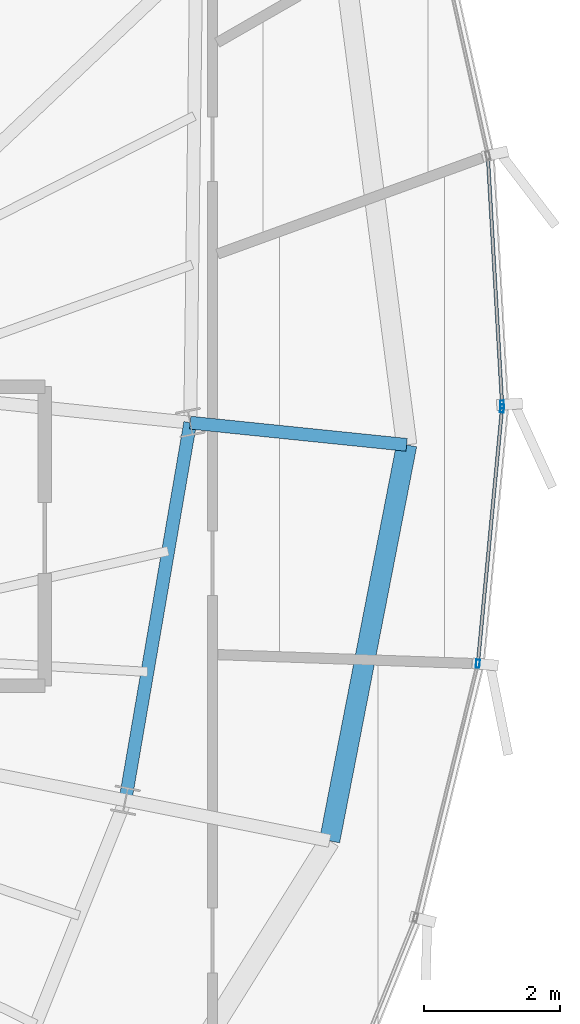
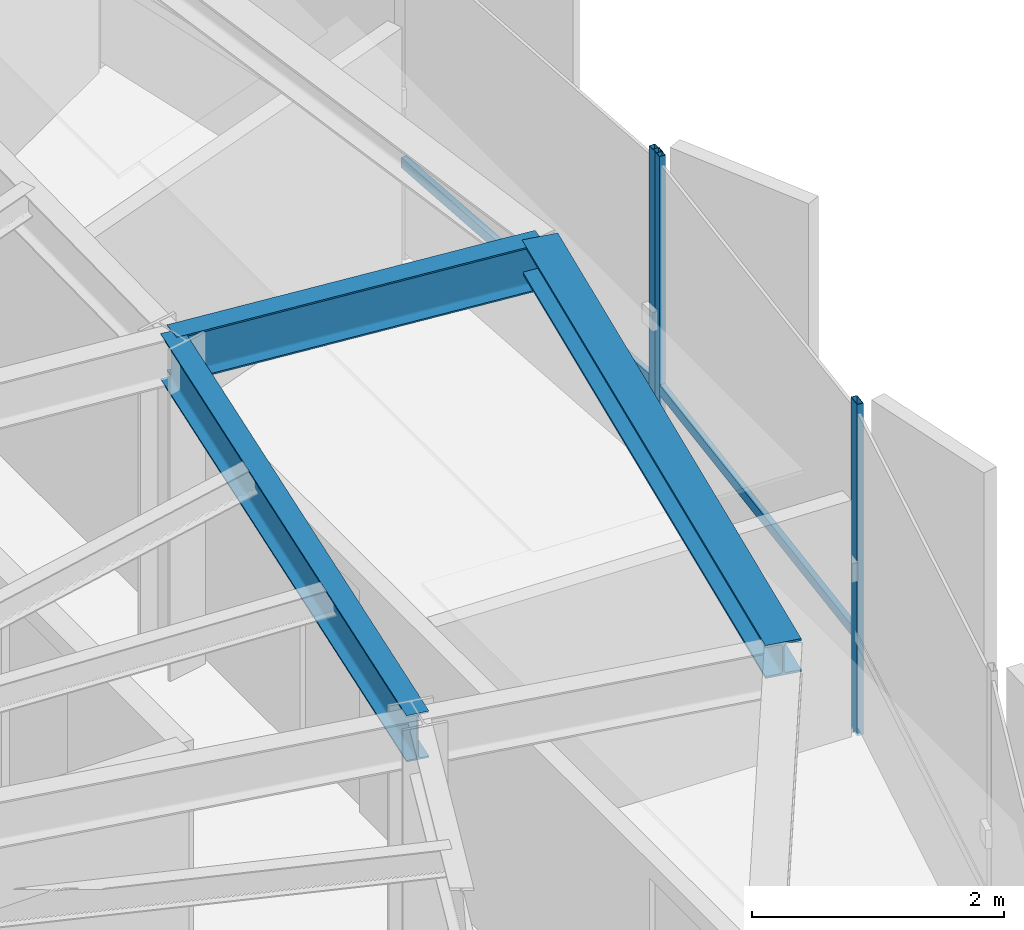
# One storey, part 15 of 31: 5 members, 3 beams, 2 elements without a shape of their own.
"""IFC4 building model written with IfcOpenShell, lengths in metres."""

from ifc_helpers import new_model, si_unit, direction, frame, origin, origin_2d, place, context, subcontext, project, spatial, hollow_rectangle, i_section, extrude, source, transform, mapped, material, layer, layer_set, material_profile, profile_set, type_object, element, aggregate, save


model = new_model("IFC4")

# Units and contexts
model_context = context("Model", 3, precision=1e-05, world=origin(), true_north=direction((0.0, 1.0)))
body_context = subcontext(model_context, "Body", "Model", "MODEL_VIEW")
ifc_project = project(units=[si_unit("LENGTHUNIT", "METRE"), si_unit("AREAUNIT", "SQUARE_METRE"), si_unit("VOLUMEUNIT", "CUBIC_METRE"), si_unit("PLANEANGLEUNIT", "RADIAN"), si_unit("MASSUNIT", "GRAM", prefix="KILO"), si_unit("THERMODYNAMICTEMPERATUREUNIT", "KELVIN")], contexts=[model_context])

# Site, building, storey
site_placement = place(None, origin())
site = spatial("IfcSite", under=ifc_project, at=site_placement, CompositionType="ELEMENT")
building_placement = place(site_placement, origin())
building = spatial("IfcBuilding", under=site, at=building_placement, Name="Kethvar Cultural Tower", CompositionType="ELEMENT")
storey_placement = place(building_placement, frame((0.0, 0.0, 290.5)))
storey = spatial("IfcBuildingStorey", under=building, at=storey_placement, Name="L77", CompositionType="ELEMENT", Elevation=290.5)

# Beams
ifc_material_1 = material(Name="Steel S355J2", Category="steel")
ifc_material_profile_1 = material_profile(ifc_material_1, i_section(OverallWidth=0.18994140625, OverallDepth=0.449951171875, WebThickness=0.009521484375, FlangeThickness=0.0146484375, FilletRadius=0.02099609375, at=origin_2d()), Name="Steel S355J2 — IPE450")
ifc_profile_set_1 = profile_set([ifc_material_profile_1], Name="Steel S355J2 — IPE450")
beam_type_1 = type_object("IfcBeamType", Name="BM-IPE450", PredefinedType="BEAM", material=ifc_profile_set_1)
shared_shape_1 = source(origin(), body_context, "Body", "SweptSolid", [
    extrude(i_section(OverallWidth=0.18994140625, OverallDepth=0.449951171875, WebThickness=0.009521484375, FlangeThickness=0.0146484375, FilletRadius=0.02099609375, at=origin_2d()), origin(), (0.0, 0.0, 1.0), 3.199951171875),
])
beam_1_placement = place(storey_placement, frame((61.237060546875, 30.671630859375, 2.98291015625), z_axis=(0.994784019447, -0.10200369921, 0.0), x_axis=(0.10200369921, 0.994784019447, 0.0)))
element("IfcBeam", 1, at=beam_1_placement, inside=storey, type_object=beam_type_1, Name="L77 Perimeter Cantilever Beam RC-01", PredefinedType="BEAM", context=body_context, shape_type="MappedRepresentation", body=[
    mapped(shared_shape_1, transform((0.0, 0.0, 0.0), scale=1.0)),
])
shared_shape_2 = source(origin(), body_context, "Body", "SweptSolid", [
    extrude(i_section(OverallWidth=0.18994140625, OverallDepth=0.449951171875, WebThickness=0.009521484375, FlangeThickness=0.0146484375, FilletRadius=0.02099609375, at=origin_2d()), origin(), (0.0, 0.0, 1.0), 5.635009765625),
])
beam_2_placement = place(storey_placement, frame((60.28369140625, 25.117919921875, 2.98291015625), z_axis=(0.169188687614, 0.985583678834, 0.0), x_axis=(-0.985583678834, 0.169188687614, 0.0)))
element("IfcBeam", 2, at=beam_2_placement, inside=storey, type_object=beam_type_1, Name="L77 Column Ring Tie Beam CR-16", PredefinedType="BEAM", context=body_context, shape_type="MappedRepresentation", body=[
    mapped(shared_shape_2, transform((0.0, 0.0, 0.0), scale=1.0)),
])
ifc_material_profile_2 = material_profile(ifc_material_1, i_section(OverallWidth=0.300048828125, OverallDepth=0.320068359375, WebThickness=0.011474609375, FlangeThickness=0.0205078125, FilletRadius=0.027099609375, at=origin_2d()), Name="Steel S355J2 — HEB320")
ifc_profile_set_2 = profile_set([ifc_material_profile_2], Name="Steel S355J2 — HEB320")
beam_type_2 = type_object("IfcBeamType", Name="BM-SP320", PredefinedType="SPANDREL", material=ifc_profile_set_2)
shared_shape_3 = source(origin(), body_context, "Body", "SweptSolid", [
    extrude(i_section(OverallWidth=0.300048828125, OverallDepth=0.320068359375, WebThickness=0.011474609375, FlangeThickness=0.0205078125, FilletRadius=0.027099609375, at=origin_2d()), origin(), (0.0, 0.0, 1.0), 5.933837890625),
])
beam_3_placement = place(storey_placement, frame((63.287353515625, 24.5205078125, 3.048095703125), z_axis=(0.190946745124, 0.981600397579, 0.0), x_axis=(-0.981600397579, 0.190946745124, 0.0)))
element("IfcBeam", 3, at=beam_3_placement, inside=storey, type_object=beam_type_2, Name="L77 Perimeter Spandrel Beam SP-16", PredefinedType="SPANDREL", context=body_context, shape_type="MappedRepresentation", body=[
    mapped(shared_shape_3, transform((0.0, 0.0, 0.0), scale=1.0)),
])

# Curtain wall, members
ifc_material_2 = material(Name="Aluminium 6063-T6", Category="aluminium")
ifc_layer = layer(ifc_material_2, 0.179931640625, Name="Aluminium 6063-T6", Category="aluminium")
ifc_layer_set = layer_set([ifc_layer], Name="Aluminium 6063-T6 (180 mm)")
curtain_wall_type = type_object("IfcCurtainWallType", Name="CW-SYS-05-Z56", PredefinedType="NOTDEFINED", material=ifc_layer_set)
curtain_wall_1_placement = place(storey_placement, origin())
curtain_wall_1 = element("IfcCurtainWall", 4, at=curtain_wall_1_placement, inside=storey, type_object=curtain_wall_type, Name="L77 Curtain Wall Run 05", PredefinedType="NOTDEFINED")
ifc_material_profile_3 = material_profile(ifc_material_2, hollow_rectangle(XDim=0.054931640625, YDim=0.1201171875, WallThickness=0.00390625, at=origin_2d()), Name="Aluminium 6063-T6 — RHS120x55x4")
ifc_profile_set_3 = profile_set([ifc_material_profile_3], Name="Aluminium 6063-T6 — RHS120x55x4")
member_type_1 = type_object("IfcMemberType", Name="CW-SYS-05-Z56-MUL", PredefinedType="MULLION", material=ifc_profile_set_3)
shared_shape_4 = source(origin(), body_context, "Body", "SweptSolid", [
    extrude(hollow_rectangle(XDim=0.054931640625, YDim=0.1201171875, WallThickness=0.00390625, at=origin_2d()), origin(), (0.0, 0.0, 1.0), 3.2099609375),
])
member_1_placement = place(storey_placement, frame((65.46728515625, 27.126708984375, 0.0), z_axis=(0.0, 0.0, 1.0), x_axis=(-0.995542232769, 0.094316821263, 0.0)))
member_1 = element("IfcMember", 5, at=member_1_placement, type_object=member_type_1, Name="CW-L77-R05 Mullion 6", PredefinedType="MULLION", context=body_context, shape_type="MappedRepresentation", body=[
    mapped(shared_shape_4, transform((0.0, 0.0, 0.0), scale=1.0)),
])
member_2_placement = place(storey_placement, frame((65.822998046875, 30.880859375, 0.0), z_axis=(0.0, 0.0, 1.0), x_axis=(-0.995542232769, 0.094316821263, 0.0)))
member_2 = element("IfcMember", 6, at=member_2_placement, type_object=member_type_1, Name="CW-L77-R05 Mullion 7", PredefinedType="MULLION", context=body_context, shape_type="MappedRepresentation", body=[
    mapped(shared_shape_4, transform((0.0, 0.0, 0.0), scale=1.0)),
])

# Curtain wall, member
curtain_wall_2_placement = place(storey_placement, origin())
curtain_wall_2 = element("IfcCurtainWall", 7, at=curtain_wall_2_placement, inside=storey, type_object=curtain_wall_type, Name="L77 Curtain Wall Run 06", PredefinedType="NOTDEFINED")
member_3_placement = place(storey_placement, frame((65.823974609375, 30.93701171875, 0.0), z_axis=(0.0, 0.0, 1.0), x_axis=(-0.99835885226, -0.05726781045, 0.0)))
member_3 = element("IfcMember", 8, at=member_3_placement, type_object=member_type_1, Name="CW-L77-R06 Mullion 1", PredefinedType="MULLION", context=body_context, shape_type="MappedRepresentation", body=[
    mapped(shared_shape_4, transform((0.0, 0.0, 0.0), scale=1.0)),
])

# Member
ifc_material_profile_4 = material_profile(ifc_material_2, hollow_rectangle(XDim=0.050048828125, YDim=0.10009765625, WallThickness=0.00390625, at=origin_2d()), Name="Aluminium 6063-T6 — RHS100x50x4")
ifc_profile_set_4 = profile_set([ifc_material_profile_4], Name="Aluminium 6063-T6 — RHS100x50x4")
member_type_2 = type_object("IfcMemberType", Name="CW-SYS-05-Z56-TRN", PredefinedType="USERDEFINED", material=ifc_profile_set_4)
shared_shape_5 = source(origin(), body_context, "Body", "SweptSolid", [
    extrude(hollow_rectangle(XDim=0.050048828125, YDim=0.10009765625, WallThickness=0.00390625, at=origin_2d()), origin(), (0.0, 0.0, 1.0), 3.727294921875),
])
member_4_placement = place(storey_placement, frame((65.47119140625, 27.166259765625, 0.949951171875), z_axis=(0.094255779462, 0.995548013929, 0.0), x_axis=(-0.995548013929, 0.094255779462, 0.0)))
member_4 = element("IfcMember", 9, at=member_4_placement, type_object=member_type_2, Name="CW-L77-R05 Transom 6", ObjectType="TRANSOM", PredefinedType="USERDEFINED", context=body_context, shape_type="MappedRepresentation", body=[
    mapped(shared_shape_5, transform((0.0, 0.0, 0.0), scale=1.0)),
])

aggregate(curtain_wall_1, [member_1, member_2, member_4])

shared_shape_6 = source(origin(), body_context, "Body", "SweptSolid", [
    extrude(hollow_rectangle(XDim=0.050048828125, YDim=0.10009765625, WallThickness=0.00390625, at=origin_2d()), origin(), (0.0, 0.0, 1.0), 3.640380859375),
])
member_5_placement = place(storey_placement, frame((65.82373046875, 30.94091796875, 0.949951171875), z_axis=(-0.057271329846, 0.998358650375, 0.0), x_axis=(-0.998358650375, -0.057271329846, 0.0)))
member_5 = element("IfcMember", 10, at=member_5_placement, type_object=member_type_2, Name="CW-L77-R06 Transom 1", ObjectType="TRANSOM", PredefinedType="USERDEFINED", context=body_context, shape_type="MappedRepresentation", body=[
    mapped(shared_shape_6, transform((0.0, 0.0, 0.0), scale=1.0)),
])

aggregate(curtain_wall_2, [member_3, member_5])

save(model, "model.ifc")
